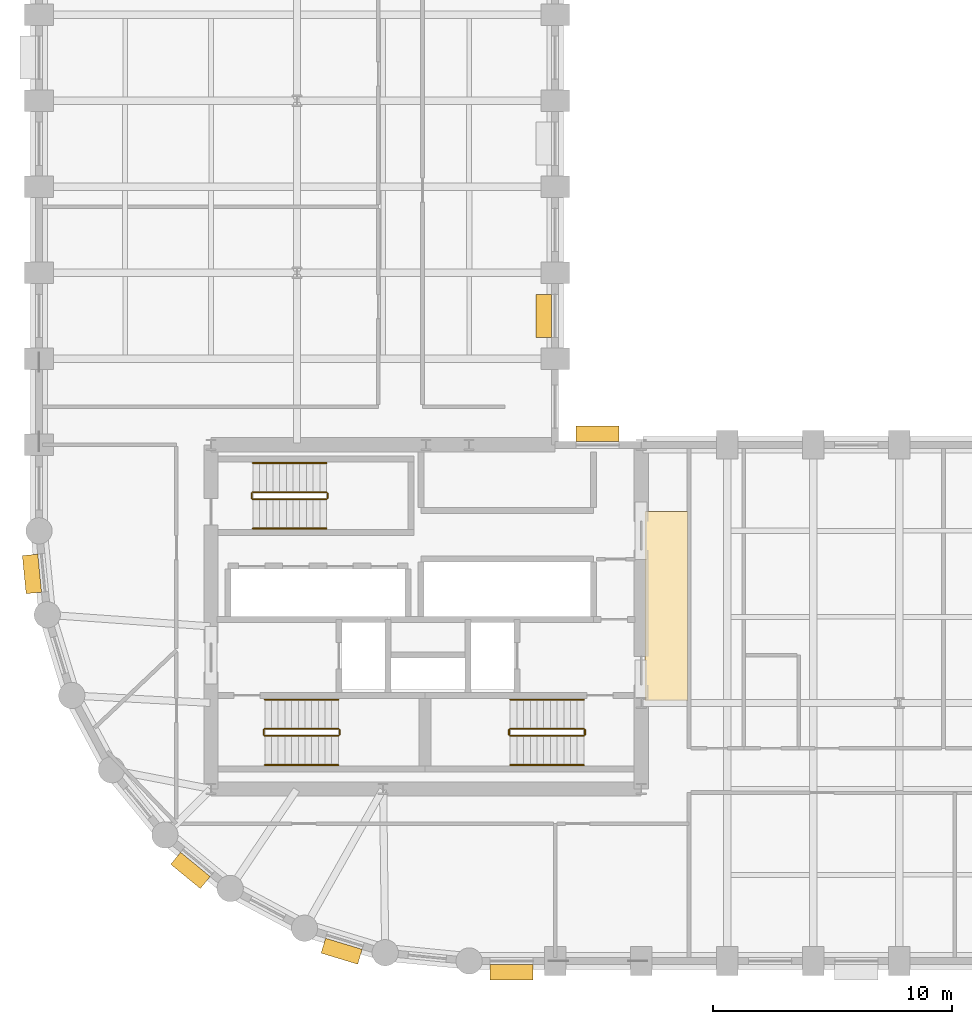
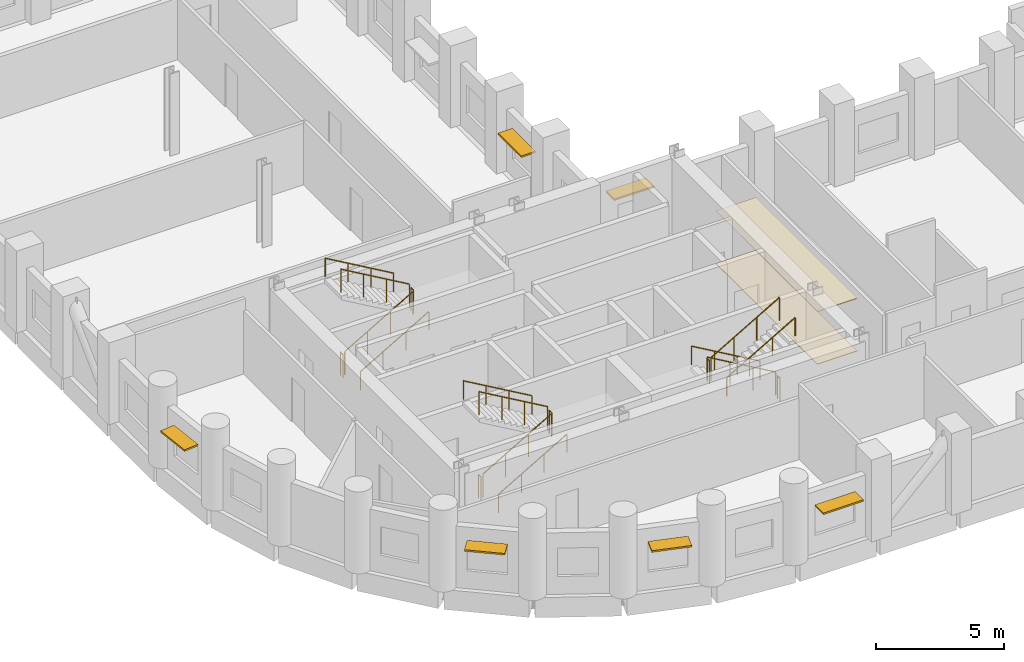
# One storey, part 8 of 9: 18 railings, 6 shading devices, 2 coverings.
"""IFC4 building model written with IfcOpenShell, lengths in metres."""

from ifc_helpers import new_model, si_unit, direction, frame, origin, origin_2d, place, context, subcontext, project, spatial, polyline, rectangle, circle, outline, extrude, material, layer, layer_set, type_object, element, save


model = new_model("IFC4")

# Units and contexts
model_context = context("Model", 3, precision=1e-05, world=origin(), true_north=direction((0.0, 1.0)))
body_context = subcontext(model_context, "Body", "Model", "MODEL_VIEW")
ifc_project = project(units=[si_unit("LENGTHUNIT", "METRE"), si_unit("AREAUNIT", "SQUARE_METRE"), si_unit("VOLUMEUNIT", "CUBIC_METRE"), si_unit("PLANEANGLEUNIT", "RADIAN"), si_unit("MASSUNIT", "GRAM", prefix="KILO")], contexts=[model_context])

# Site, building, storey
site_placement = place(None, origin())
site = spatial("IfcSite", under=ifc_project, at=site_placement, CompositionType="ELEMENT")
building_placement = place(site_placement, origin())
building = spatial("IfcBuilding", under=site, at=building_placement, Name="Solnavia Interchange Tower", CompositionType="ELEMENT")
storey_placement = place(building_placement, frame((0.0, 0.0, 70.800048828125)))
storey = spatial("IfcBuildingStorey", under=building, at=storey_placement, Name="L17", CompositionType="ELEMENT", Elevation=70.800048828125)

# Coverings
ifc_material_1 = material(Name="Perforated Mineral-Fibre & Gypsum Ceiling", Category="gypsum")
ifc_layer_1 = layer(ifc_material_1, 0.0400390625)
ifc_layer_set_1 = layer_set([ifc_layer_1], Name="Perforated Mineral-Fibre & Gypsum Ceiling")
covering_type_1 = type_object("IfcCoveringType", Name="Covering-Ceiling-Acoustic40", PredefinedType="CEILING", material=ifc_layer_set_1)
covering_1_placement = place(storey_placement, frame((0.0, 0.0, 2.5)))
element("IfcCovering", 1, at=covering_1_placement, inside=storey, type_object=covering_type_1, Name="CLG-L17-01 Circulation suspended acoustic ceiling", PredefinedType="CEILING", context=body_context, shape_type="SweptSolid", body=[
    extrude(outline(polyline([(32.550048828125, 14.5), (34.35009765625, 14.5), (34.35009765625, 22.39990234375), (32.550048828125, 22.39990234375), (32.550048828125, 14.5)])), origin(), (0.0, 0.0, 1.0), 0.0400390625),
])
ifc_material_2 = material(Name="Polished Alicante Stone Terrazzo", Category="masonry")
ifc_layer_2 = layer(ifc_material_2, 0.02490234375)
ifc_layer_set_2 = layer_set([ifc_layer_2], Name="Polished Alicante Stone Terrazzo")
covering_type_2 = type_object("IfcCoveringType", Name="Covering-Flooring-Terrazzo25", PredefinedType="FLOORING", material=ifc_layer_set_2)
covering_2_placement = place(storey_placement, origin())
element("IfcCovering", 2, at=covering_2_placement, inside=storey, type_object=covering_type_2, Name="FLR-L17-01 Circulation floor finish", PredefinedType="FLOORING", context=body_context, shape_type="SweptSolid", body=[
    extrude(outline(polyline([(32.550048828125, 14.5), (34.35009765625, 14.5), (34.35009765625, 22.39990234375), (32.550048828125, 22.39990234375), (32.550048828125, 14.5)])), origin(), (0.0, 0.0, 1.0), 0.02490234375),
])

# Railings
ifc_material_3 = material(Name="Painted Steel Balustrade", Category="steel")
railing_type_1 = type_object("IfcRailingType", Name="Railing-StairGuard-1100", PredefinedType="GUARDRAIL", material=ifc_material_3)
railing_1_placement = place(storey_placement, frame((16.64990234375, 13.02001953125, 0.162353515625)))
element("IfcRailing", 3, at=railing_1_placement, inside=storey, type_object=railing_type_1, Name="L17 ST-1 stair guard 1", PredefinedType="GUARDRAIL", context=body_context, shape_type="SweptSolid", body=[
    extrude(circle(Radius=0.02392578125, at=origin_2d()), frame((0.0, 0.0, 1.09619140625), z_axis=(0.864890721111, 0.0, 0.501960198159), x_axis=(0.0, 1.0, 0.0)), (0.0, 0.0, 1.0), 3.561279296875),
    extrude(circle(Radius=0.02099609375, at=origin_2d()), origin(), (0.0, 0.0, 1.0), 1.072021484375),
    extrude(circle(Radius=0.02099609375, at=origin_2d()), frame((1.026611328125, 0.0, 0.595947265625)), (0.0, 0.0, 1.0), 1.072021484375),
    extrude(circle(Radius=0.02099609375, at=origin_2d()), frame((2.053466796875, 0.0, 1.191650390625)), (0.0, 0.0, 1.0), 1.072021484375),
    extrude(circle(Radius=0.02099609375, at=origin_2d()), frame((3.080078125, 0.0, 1.78759765625)), (0.0, 0.0, 1.0), 1.072021484375),
])
railing_2_placement = place(storey_placement, frame((19.780029296875, 13.070068359375, 1.949951171875)))
element("IfcRailing", 4, at=railing_2_placement, inside=storey, type_object=railing_type_1, Name="L17 ST-1 stair guard 2", PredefinedType="GUARDRAIL", context=body_context, shape_type="SweptSolid", body=[
    extrude(circle(Radius=0.02392578125, at=origin_2d()), frame((0.0, 0.0, 1.09619140625), z_axis=(0.0, 1.0, 0.0), x_axis=(-1.0, 0.0, 0.0)), (0.0, 0.0, 1.0), 0.199951171875),
    extrude(circle(Radius=0.02099609375, at=origin_2d()), origin(), (0.0, 0.0, 1.0), 1.072021484375),
    extrude(circle(Radius=0.02099609375, at=origin_2d()), frame((0.0, 0.199951171875, 0.0)), (0.0, 0.0, 1.0), 1.072021484375),
])
railing_3_placement = place(storey_placement, frame((19.72998046875, 13.320068359375, 2.112548828125)))
element("IfcRailing", 5, at=railing_3_placement, inside=storey, type_object=railing_type_1, Name="L17 ST-1 stair guard 3", PredefinedType="GUARDRAIL", context=body_context, shape_type="SweptSolid", body=[
    extrude(circle(Radius=0.02392578125, at=origin_2d()), frame((0.0, 0.0, 1.09619140625), z_axis=(-0.864920483161, 0.0, 0.501908913857), x_axis=(0.0, -1.0, 0.0)), (0.0, 0.0, 1.0), 3.56103515625),
    extrude(circle(Radius=0.02099609375, at=origin_2d()), origin(), (0.0, 0.0, 1.0), 1.072021484375),
    extrude(circle(Radius=0.02099609375, at=origin_2d()), frame((-1.026611328125, 0.0, 0.595703125)), (0.0, 0.0, 1.0), 1.072021484375),
    extrude(circle(Radius=0.02099609375, at=origin_2d()), frame((-2.053466796875, 0.0, 1.191650390625)), (0.0, 0.0, 1.0), 1.072021484375),
    extrude(circle(Radius=0.02099609375, at=origin_2d()), frame((-3.080078125, 0.0, 1.787353515625)), (0.0, 0.0, 1.0), 1.072021484375),
])
railing_4_placement = place(storey_placement, frame((16.60009765625, 13.070068359375, 0.0)))
element("IfcRailing", 6, at=railing_4_placement, inside=storey, type_object=railing_type_1, Name="L17 ST-1 stair guard 4", PredefinedType="GUARDRAIL", context=body_context, shape_type="SweptSolid", body=[
    extrude(circle(Radius=0.02392578125, at=origin_2d()), frame((0.0, 0.0, 1.09619140625), z_axis=(0.0, 1.0, 0.0), x_axis=(-1.0, 0.0, 0.0)), (0.0, 0.0, 1.0), 0.199951171875),
    extrude(circle(Radius=0.02099609375, at=origin_2d()), origin(), (0.0, 0.0, 1.0), 1.072021484375),
    extrude(circle(Radius=0.02099609375, at=origin_2d()), frame((0.0, 0.199951171875, 0.0)), (0.0, 0.0, 1.0), 1.072021484375),
])
railing_5_placement = place(storey_placement, frame((30.0, 13.320068359375, 0.162353515625)))
element("IfcRailing", 7, at=railing_5_placement, inside=storey, type_object=railing_type_1, Name="L17 ST-2 stair guard 1", PredefinedType="GUARDRAIL", context=body_context, shape_type="SweptSolid", body=[
    extrude(circle(Radius=0.02392578125, at=origin_2d()), frame((0.0, 0.0, 1.09619140625), z_axis=(-0.864890721111, 0.0, 0.501960198159), x_axis=(0.0, -1.0, 0.0)), (0.0, 0.0, 1.0), 3.561279296875),
    extrude(circle(Radius=0.02099609375, at=origin_2d()), origin(), (0.0, 0.0, 1.0), 1.072021484375),
    extrude(circle(Radius=0.02099609375, at=origin_2d()), frame((-1.026611328125, 0.0, 0.595947265625)), (0.0, 0.0, 1.0), 1.072021484375),
    extrude(circle(Radius=0.02099609375, at=origin_2d()), frame((-2.053466796875, 0.0, 1.191650390625)), (0.0, 0.0, 1.0), 1.072021484375),
    extrude(circle(Radius=0.02099609375, at=origin_2d()), frame((-3.080078125, 0.0, 1.78759765625)), (0.0, 0.0, 1.0), 1.072021484375),
])
railing_6_placement = place(storey_placement, frame((26.8701171875, 13.27001953125, 1.949951171875)))
element("IfcRailing", 8, at=railing_6_placement, inside=storey, type_object=railing_type_1, Name="L17 ST-2 stair guard 2", PredefinedType="GUARDRAIL", context=body_context, shape_type="SweptSolid", body=[
    extrude(circle(Radius=0.02392578125, at=origin_2d()), frame((0.0, 0.0, 1.09619140625), z_axis=(0.0, -1.0, 0.0), x_axis=(1.0, 0.0, 0.0)), (0.0, 0.0, 1.0), 0.199951171875),
    extrude(circle(Radius=0.02099609375, at=origin_2d()), origin(), (0.0, 0.0, 1.0), 1.072021484375),
    extrude(circle(Radius=0.02099609375, at=origin_2d()), frame((0.0, -0.199951171875, 0.0)), (0.0, 0.0, 1.0), 1.072021484375),
])
railing_7_placement = place(storey_placement, frame((26.919921875, 13.02001953125, 2.112548828125)))
element("IfcRailing", 9, at=railing_7_placement, inside=storey, type_object=railing_type_1, Name="L17 ST-2 stair guard 3", PredefinedType="GUARDRAIL", context=body_context, shape_type="SweptSolid", body=[
    extrude(circle(Radius=0.02392578125, at=origin_2d()), frame((0.0, 0.0, 1.09619140625), z_axis=(0.864920483161, 0.0, 0.501908913857), x_axis=(0.0, 1.0, 0.0)), (0.0, 0.0, 1.0), 3.56103515625),
    extrude(circle(Radius=0.02099609375, at=origin_2d()), origin(), (0.0, 0.0, 1.0), 1.072021484375),
    extrude(circle(Radius=0.02099609375, at=origin_2d()), frame((1.026611328125, 0.0, 0.595703125)), (0.0, 0.0, 1.0), 1.072021484375),
    extrude(circle(Radius=0.02099609375, at=origin_2d()), frame((2.053466796875, 0.0, 1.191650390625)), (0.0, 0.0, 1.0), 1.072021484375),
    extrude(circle(Radius=0.02099609375, at=origin_2d()), frame((3.080078125, 0.0, 1.787353515625)), (0.0, 0.0, 1.0), 1.072021484375),
])
railing_8_placement = place(storey_placement, frame((30.050048828125, 13.27001953125, 0.0)))
element("IfcRailing", 10, at=railing_8_placement, inside=storey, type_object=railing_type_1, Name="L17 ST-2 stair guard 4", PredefinedType="GUARDRAIL", context=body_context, shape_type="SweptSolid", body=[
    extrude(circle(Radius=0.02392578125, at=origin_2d()), frame((0.0, 0.0, 1.09619140625), z_axis=(0.0, -1.0, 0.0), x_axis=(1.0, 0.0, 0.0)), (0.0, 0.0, 1.0), 0.199951171875),
    extrude(circle(Radius=0.02099609375, at=origin_2d()), origin(), (0.0, 0.0, 1.0), 1.072021484375),
    extrude(circle(Radius=0.02099609375, at=origin_2d()), frame((0.0, -0.199951171875, 0.0)), (0.0, 0.0, 1.0), 1.072021484375),
])
railing_9_placement = place(storey_placement, frame((16.14990234375, 22.919921875, 0.162353515625)))
element("IfcRailing", 11, at=railing_9_placement, inside=storey, type_object=railing_type_1, Name="L17 ST-3 stair guard 1", PredefinedType="GUARDRAIL", context=body_context, shape_type="SweptSolid", body=[
    extrude(circle(Radius=0.02392578125, at=origin_2d()), frame((0.0, 0.0, 1.09619140625), z_axis=(0.864890721111, 0.0, 0.501960198159), x_axis=(0.0, 1.0, 0.0)), (0.0, 0.0, 1.0), 3.561279296875),
    extrude(circle(Radius=0.02099609375, at=origin_2d()), origin(), (0.0, 0.0, 1.0), 1.072021484375),
    extrude(circle(Radius=0.02099609375, at=origin_2d()), frame((1.026611328125, 0.0, 0.595947265625)), (0.0, 0.0, 1.0), 1.072021484375),
    extrude(circle(Radius=0.02099609375, at=origin_2d()), frame((2.053466796875, 0.0, 1.191650390625)), (0.0, 0.0, 1.0), 1.072021484375),
    extrude(circle(Radius=0.02099609375, at=origin_2d()), frame((3.080078125, 0.0, 1.78759765625)), (0.0, 0.0, 1.0), 1.072021484375),
])
railing_10_placement = place(storey_placement, frame((19.280029296875, 22.969970703125, 1.949951171875)))
element("IfcRailing", 12, at=railing_10_placement, inside=storey, type_object=railing_type_1, Name="L17 ST-3 stair guard 2", PredefinedType="GUARDRAIL", context=body_context, shape_type="SweptSolid", body=[
    extrude(circle(Radius=0.02392578125, at=origin_2d()), frame((0.0, 0.0, 1.09619140625), z_axis=(0.0, 1.0, 0.0), x_axis=(-1.0, 0.0, 0.0)), (0.0, 0.0, 1.0), 0.199951171875),
    extrude(circle(Radius=0.02099609375, at=origin_2d()), origin(), (0.0, 0.0, 1.0), 1.072021484375),
    extrude(circle(Radius=0.02099609375, at=origin_2d()), frame((0.0, 0.199951171875, 0.0)), (0.0, 0.0, 1.0), 1.072021484375),
])
railing_11_placement = place(storey_placement, frame((19.22998046875, 23.219970703125, 2.112548828125)))
element("IfcRailing", 13, at=railing_11_placement, inside=storey, type_object=railing_type_1, Name="L17 ST-3 stair guard 3", PredefinedType="GUARDRAIL", context=body_context, shape_type="SweptSolid", body=[
    extrude(circle(Radius=0.02392578125, at=origin_2d()), frame((0.0, 0.0, 1.09619140625), z_axis=(-0.864920483161, 0.0, 0.501908913857), x_axis=(0.0, -1.0, 0.0)), (0.0, 0.0, 1.0), 3.56103515625),
    extrude(circle(Radius=0.02099609375, at=origin_2d()), origin(), (0.0, 0.0, 1.0), 1.072021484375),
    extrude(circle(Radius=0.02099609375, at=origin_2d()), frame((-1.026611328125, 0.0, 0.595703125)), (0.0, 0.0, 1.0), 1.072021484375),
    extrude(circle(Radius=0.02099609375, at=origin_2d()), frame((-2.053466796875, 0.0, 1.191650390625)), (0.0, 0.0, 1.0), 1.072021484375),
    extrude(circle(Radius=0.02099609375, at=origin_2d()), frame((-3.080078125, 0.0, 1.787353515625)), (0.0, 0.0, 1.0), 1.072021484375),
])
railing_12_placement = place(storey_placement, frame((16.10009765625, 22.969970703125, 0.0)))
element("IfcRailing", 14, at=railing_12_placement, inside=storey, type_object=railing_type_1, Name="L17 ST-3 stair guard 4", PredefinedType="GUARDRAIL", context=body_context, shape_type="SweptSolid", body=[
    extrude(circle(Radius=0.02392578125, at=origin_2d()), frame((0.0, 0.0, 1.09619140625), z_axis=(0.0, 1.0, 0.0), x_axis=(-1.0, 0.0, 0.0)), (0.0, 0.0, 1.0), 0.199951171875),
    extrude(circle(Radius=0.02099609375, at=origin_2d()), origin(), (0.0, 0.0, 1.0), 1.072021484375),
    extrude(circle(Radius=0.02099609375, at=origin_2d()), frame((0.0, 0.199951171875, 0.0)), (0.0, 0.0, 1.0), 1.072021484375),
])
ifc_material_4 = material(Name="Brushed Stainless Steel", Category="steel")
railing_type_2 = type_object("IfcRailingType", Name="Railing-StairHandrail-900", PredefinedType="HANDRAIL", material=ifc_material_4)
railing_13_placement = place(storey_placement, frame((16.64990234375, 11.800048828125, 0.162353515625)))
element("IfcRailing", 15, at=railing_13_placement, inside=storey, type_object=railing_type_2, Name="L17 ST-1 stair handrail 1", PredefinedType="HANDRAIL", context=body_context, shape_type="SweptSolid", body=[
    extrude(circle(Radius=0.02392578125, at=origin_2d()), frame((0.0, 0.0, 0.8759765625), z_axis=(0.864890721111, 0.0, 0.501960198159), x_axis=(0.0, 1.0, 0.0)), (0.0, 0.0, 1.0), 3.561279296875),
    extrude(circle(Radius=0.02099609375, at=origin_2d()), origin(), (0.0, 0.0, 1.0), 0.851806640625),
    extrude(circle(Radius=0.02099609375, at=origin_2d()), frame((1.026611328125, 0.0, 0.595947265625)), (0.0, 0.0, 1.0), 0.851806640625),
    extrude(circle(Radius=0.02099609375, at=origin_2d()), frame((2.053466796875, 0.0, 1.191650390625)), (0.0, 0.0, 1.0), 0.851806640625),
    extrude(circle(Radius=0.02099609375, at=origin_2d()), frame((3.080078125, 0.0, 1.78759765625)), (0.0, 0.0, 1.0), 0.851806640625),
])
railing_14_placement = place(storey_placement, frame((19.72998046875, 14.5400390625, 2.112548828125)))
element("IfcRailing", 16, at=railing_14_placement, inside=storey, type_object=railing_type_2, Name="L17 ST-1 stair handrail 2", PredefinedType="HANDRAIL", context=body_context, shape_type="SweptSolid", body=[
    extrude(circle(Radius=0.02392578125, at=origin_2d()), frame((0.0, 0.0, 0.8759765625), z_axis=(-0.864920483161, 0.0, 0.501908913857), x_axis=(0.0, -1.0, 0.0)), (0.0, 0.0, 1.0), 3.56103515625),
    extrude(circle(Radius=0.02099609375, at=origin_2d()), origin(), (0.0, 0.0, 1.0), 0.851806640625),
    extrude(circle(Radius=0.02099609375, at=origin_2d()), frame((-1.026611328125, 0.0, 0.595703125)), (0.0, 0.0, 1.0), 0.851806640625),
    extrude(circle(Radius=0.02099609375, at=origin_2d()), frame((-2.053466796875, 0.0, 1.191650390625)), (0.0, 0.0, 1.0), 0.851806640625),
    extrude(circle(Radius=0.02099609375, at=origin_2d()), frame((-3.080078125, 0.0, 1.787353515625)), (0.0, 0.0, 1.0), 0.851806640625),
])
railing_15_placement = place(storey_placement, frame((30.0, 14.5400390625, 0.162353515625)))
element("IfcRailing", 17, at=railing_15_placement, inside=storey, type_object=railing_type_2, Name="L17 ST-2 stair handrail 1", PredefinedType="HANDRAIL", context=body_context, shape_type="SweptSolid", body=[
    extrude(circle(Radius=0.02392578125, at=origin_2d()), frame((0.0, 0.0, 0.8759765625), z_axis=(-0.864890721111, 0.0, 0.501960198159), x_axis=(0.0, -1.0, 0.0)), (0.0, 0.0, 1.0), 3.561279296875),
    extrude(circle(Radius=0.02099609375, at=origin_2d()), origin(), (0.0, 0.0, 1.0), 0.851806640625),
    extrude(circle(Radius=0.02099609375, at=origin_2d()), frame((-1.026611328125, 0.0, 0.595947265625)), (0.0, 0.0, 1.0), 0.851806640625),
    extrude(circle(Radius=0.02099609375, at=origin_2d()), frame((-2.053466796875, 0.0, 1.191650390625)), (0.0, 0.0, 1.0), 0.851806640625),
    extrude(circle(Radius=0.02099609375, at=origin_2d()), frame((-3.080078125, 0.0, 1.78759765625)), (0.0, 0.0, 1.0), 0.851806640625),
])
railing_16_placement = place(storey_placement, frame((26.919921875, 11.800048828125, 2.112548828125)))
element("IfcRailing", 18, at=railing_16_placement, inside=storey, type_object=railing_type_2, Name="L17 ST-2 stair handrail 2", PredefinedType="HANDRAIL", context=body_context, shape_type="SweptSolid", body=[
    extrude(circle(Radius=0.02392578125, at=origin_2d()), frame((0.0, 0.0, 0.8759765625), z_axis=(0.864920483161, 0.0, 0.501908913857), x_axis=(0.0, 1.0, 0.0)), (0.0, 0.0, 1.0), 3.56103515625),
    extrude(circle(Radius=0.02099609375, at=origin_2d()), origin(), (0.0, 0.0, 1.0), 0.851806640625),
    extrude(circle(Radius=0.02099609375, at=origin_2d()), frame((1.026611328125, 0.0, 0.595703125)), (0.0, 0.0, 1.0), 0.851806640625),
    extrude(circle(Radius=0.02099609375, at=origin_2d()), frame((2.053466796875, 0.0, 1.191650390625)), (0.0, 0.0, 1.0), 0.851806640625),
    extrude(circle(Radius=0.02099609375, at=origin_2d()), frame((3.080078125, 0.0, 1.787353515625)), (0.0, 0.0, 1.0), 0.851806640625),
])
railing_17_placement = place(storey_placement, frame((16.14990234375, 21.699951171875, 0.162353515625)))
element("IfcRailing", 19, at=railing_17_placement, inside=storey, type_object=railing_type_2, Name="L17 ST-3 stair handrail 1", PredefinedType="HANDRAIL", context=body_context, shape_type="SweptSolid", body=[
    extrude(circle(Radius=0.02392578125, at=origin_2d()), frame((0.0, 0.0, 0.8759765625), z_axis=(0.864890721111, 0.0, 0.501960198159), x_axis=(0.0, 1.0, 0.0)), (0.0, 0.0, 1.0), 3.561279296875),
    extrude(circle(Radius=0.02099609375, at=origin_2d()), origin(), (0.0, 0.0, 1.0), 0.851806640625),
    extrude(circle(Radius=0.02099609375, at=origin_2d()), frame((1.026611328125, 0.0, 0.595947265625)), (0.0, 0.0, 1.0), 0.851806640625),
    extrude(circle(Radius=0.02099609375, at=origin_2d()), frame((2.053466796875, 0.0, 1.191650390625)), (0.0, 0.0, 1.0), 0.851806640625),
    extrude(circle(Radius=0.02099609375, at=origin_2d()), frame((3.080078125, 0.0, 1.78759765625)), (0.0, 0.0, 1.0), 0.851806640625),
])
railing_18_placement = place(storey_placement, frame((19.22998046875, 24.43994140625, 2.112548828125)))
element("IfcRailing", 20, at=railing_18_placement, inside=storey, type_object=railing_type_2, Name="L17 ST-3 stair handrail 2", PredefinedType="HANDRAIL", context=body_context, shape_type="SweptSolid", body=[
    extrude(circle(Radius=0.02392578125, at=origin_2d()), frame((0.0, 0.0, 0.8759765625), z_axis=(-0.864920483161, 0.0, 0.501908913857), x_axis=(0.0, -1.0, 0.0)), (0.0, 0.0, 1.0), 3.56103515625),
    extrude(circle(Radius=0.02099609375, at=origin_2d()), origin(), (0.0, 0.0, 1.0), 0.851806640625),
    extrude(circle(Radius=0.02099609375, at=origin_2d()), frame((-1.026611328125, 0.0, 0.595703125)), (0.0, 0.0, 1.0), 0.851806640625),
    extrude(circle(Radius=0.02099609375, at=origin_2d()), frame((-2.053466796875, 0.0, 1.191650390625)), (0.0, 0.0, 1.0), 0.851806640625),
    extrude(circle(Radius=0.02099609375, at=origin_2d()), frame((-3.080078125, 0.0, 1.787353515625)), (0.0, 0.0, 1.0), 0.851806640625),
])

# Shading devices
ifc_material_5 = material(Name="Anodised Aluminium Sunshade", Category="aluminium")
ifc_layer_3 = layer(ifc_material_5, 0.080078125)
ifc_layer_set_3 = layer_set([ifc_layer_3], Name="Anodised Aluminium Sunshade")
shading_device_type = type_object("IfcShadingDeviceType", Name="Sunshade-Band-650", PredefinedType="SHUTTER", material=ifc_layer_set_3)
for number, where, z_axis, x_axis, name in (
    (21, (26.97509765625, 3.1298828125, 2.219970703125), (0.0, 0.0, 1.0), (-1.0, 0.0, 0.0), "SHD-L17-01 Horizontal sunshade band"),
    (22, (30.577880859375, 25.669921875, 2.219970703125), (0.0, 0.0, 1.0), (1.0, 0.0, 0.0), "SHD-L17-33 Horizontal sunshade band"),
    (23, (28.330078125, 30.60009765625, 2.219970703125), (0.0, 0.0, 1.0), (0.0, 1.0, 0.0), "SHD-L17-35 Horizontal sunshade band"),
):
    element("IfcShadingDevice", number, at=place(storey_placement, frame(where, z_axis=z_axis, x_axis=x_axis)), inside=storey, type_object=shading_device_type, Name=name, PredefinedType="SHUTTER", context=body_context, shape_type="SweptSolid", body=[
        extrude(rectangle(XDim=1.800048828125, YDim=0.64990234375, at=origin_2d()), origin(), (0.0, 0.0, 1.0), 0.080078125),
    ])
for number, where, z_axis, x_axis, name in (
    (24, (6.9052734375, 19.79833984375, 2.219970703125), (0.0, 0.0, 1.0), (-0.098103986207, 0.995176169274, 0.0), "SHD-L17-59 Horizontal sunshade band"),
    (25, (13.5380859375, 7.389404296875, 2.219970703125), (0.0, 0.0, 1.0), (-0.773176510644, 0.634190888762, 0.0), "SHD-L17-63 Horizontal sunshade band"),
    (26, (19.863525390625, 4.00830078125, 2.219970703125), (0.0, 0.0, 1.0), (-0.956965664205, 0.290201167351, 0.0), "SHD-L17-65 Horizontal sunshade band"),
):
    element("IfcShadingDevice", number, at=place(storey_placement, frame(where, z_axis=z_axis, x_axis=x_axis)), inside=storey, type_object=shading_device_type, Name=name, PredefinedType="SHUTTER", context=body_context, shape_type="SweptSolid", body=[
        extrude(rectangle(XDim=1.60009765625, YDim=0.64990234375, at=origin_2d()), origin(), (0.0, 0.0, 1.0), 0.080078125),
    ])

save(model, "model.ifc")
